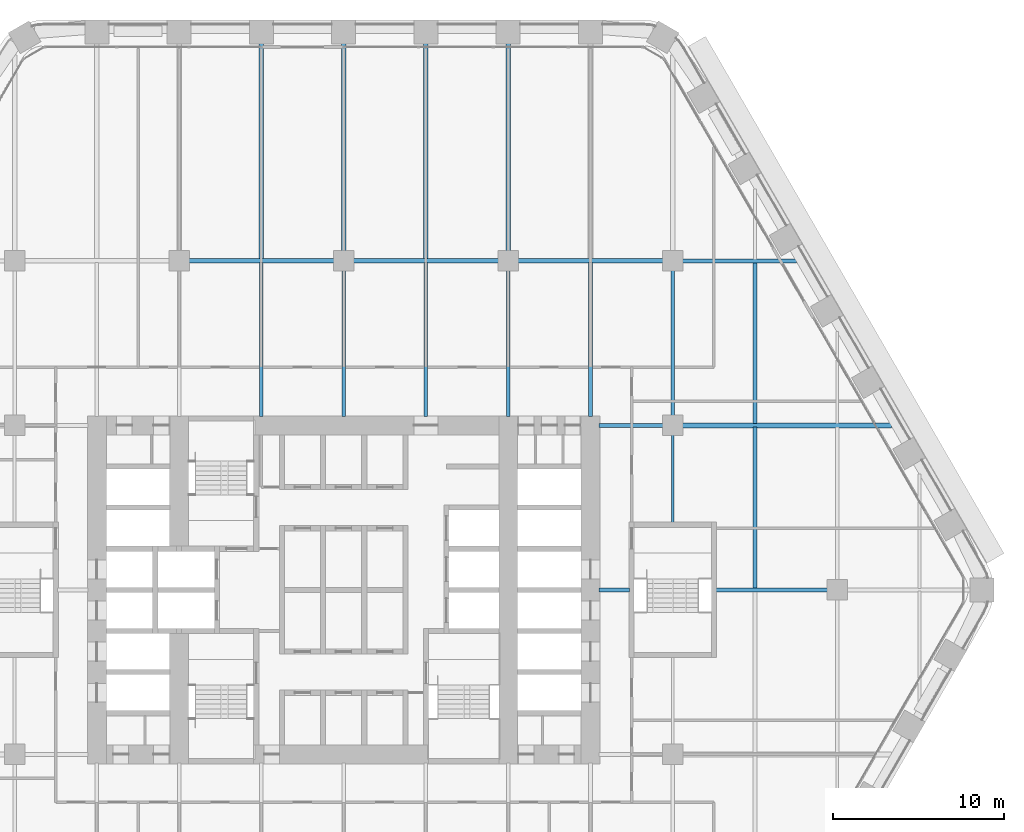
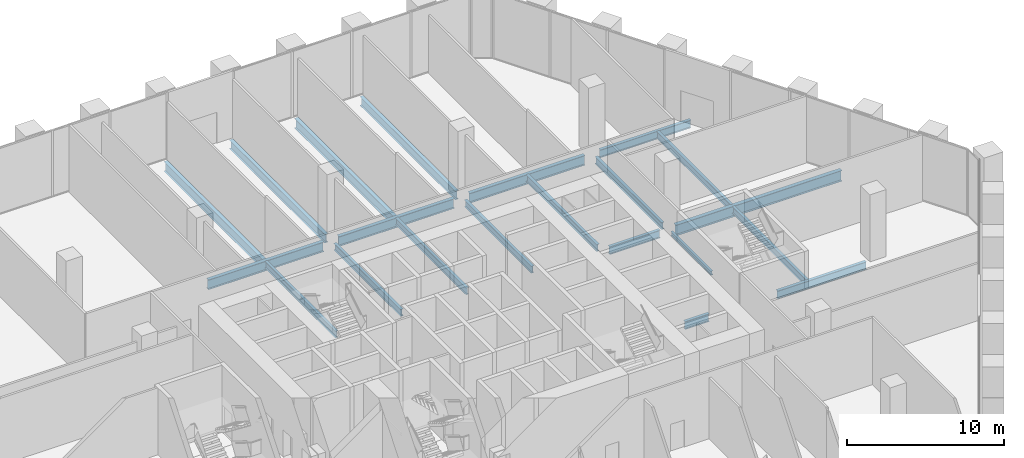
# One storey, part 9 of 27: 21 beams.
"""IFC4 building model written with IfcOpenShell, lengths in metres."""

from ifc_helpers import new_model, si_unit, direction, frame, origin, origin_2d, place, context, subcontext, project, spatial, i_section, extrude, material, material_profile, profile_set, type_object, element, save


model = new_model("IFC4")

# Units and contexts
model_context = context("Model", 3, precision=1e-05, world=origin(), true_north=direction((0.0, 1.0)))
body_context = subcontext(model_context, "Body", "Model", "MODEL_VIEW")
ifc_project = project(units=[si_unit("LENGTHUNIT", "METRE"), si_unit("AREAUNIT", "SQUARE_METRE"), si_unit("VOLUMEUNIT", "CUBIC_METRE"), si_unit("PLANEANGLEUNIT", "RADIAN"), si_unit("MASSUNIT", "GRAM", prefix="KILO")], contexts=[model_context])

# Site, building, storey
site_placement = place(None, origin())
site = spatial("IfcSite", under=ifc_project, at=site_placement, CompositionType="ELEMENT")
building_placement = place(site_placement, origin())
building = spatial("IfcBuilding", under=site, at=building_placement, Name="Kolab Exchange Tower", CompositionType="ELEMENT")
storey_placement = place(building_placement, frame((0.0, 0.0, 66.39990234375)))
storey = spatial("IfcBuildingStorey", under=building, at=storey_placement, Name="L12", CompositionType="ELEMENT", Elevation=66.39990234375)

# Beams
ifc_material = material(Name="Steel S355", Category="steel")
ifc_material_profile_1 = material_profile(ifc_material, i_section(OverallWidth=0.1650390625, OverallDepth=0.31005859375, WebThickness=0.005859375, FlangeThickness=0.009765625, at=origin_2d()), Name="W310X39")
ifc_profile_set_1 = profile_set([ifc_material_profile_1], Name="Steel S355")
beam_type_1 = type_object("IfcBeamType", Name="FLOOR BEAM W310X39", PredefinedType="BEAM", material=ifc_profile_set_1)
beam_1_placement = place(storey_placement, frame((19.199951171875, 3.909912109375, -0.454833984375), z_axis=(0.0, 1.0, 0.0), x_axis=(-1.0, 0.0, 0.0)))
element("IfcBeam", 1, at=beam_1_placement, inside=storey, type_object=beam_type_1, Name="beam/L12/fr/049", PredefinedType="BEAM", context=body_context, shape_type="SweptSolid", body=[
    extrude(i_section(OverallWidth=0.1650390625, OverallDepth=0.31005859375, WebThickness=0.005859375, FlangeThickness=0.009765625, at=origin_2d()), origin(), (0.0, 0.0, 1.0), 5.130126953125),
])
ifc_material_profile_2 = material_profile(ifc_material, i_section(OverallWidth=0.208984375, OverallDepth=0.532958984375, WebThickness=0.01025390625, FlangeThickness=0.015625, at=origin_2d()), Name="W530X92")
ifc_profile_set_2 = profile_set([ifc_material_profile_2], Name="Steel S355")
beam_type_2 = type_object("IfcBeamType", Name="FLOOR BEAM W530X92", PredefinedType="BEAM", material=ifc_profile_set_2)
beam_2_placement = place(storey_placement, frame((-4.800048828125, 10.110107421875, -0.56640625), z_axis=(0.0, 1.0, 0.0), x_axis=(-1.0, 0.0, 0.0)))
element("IfcBeam", 2, at=beam_2_placement, inside=storey, type_object=beam_type_2, Name="beam/L12/fr/028", PredefinedType="BEAM", context=body_context, shape_type="SweptSolid", body=[
    extrude(i_section(OverallWidth=0.208984375, OverallDepth=0.532958984375, WebThickness=0.01025390625, FlangeThickness=0.015625, at=origin_2d()), origin(), (0.0, 0.0, 1.0), 8.996337890625),
])
beam_3_placement = place(storey_placement, frame((0.0, 10.110107421875, -0.56640625), z_axis=(0.0, 1.0, 0.0), x_axis=(-1.0, 0.0, 0.0)))
element("IfcBeam", 3, at=beam_3_placement, inside=storey, type_object=beam_type_2, Name="beam/L12/fr/032", PredefinedType="BEAM", context=body_context, shape_type="SweptSolid", body=[
    extrude(i_section(OverallWidth=0.208984375, OverallDepth=0.532958984375, WebThickness=0.01025390625, FlangeThickness=0.015625, at=origin_2d()), origin(), (0.0, 0.0, 1.0), 8.52978515625),
])
beam_4_placement = place(storey_placement, frame((4.800048828125, 10.110107421875, -0.56640625), z_axis=(0.0, 1.0, 0.0), x_axis=(-1.0, 0.0, 0.0)))
element("IfcBeam", 4, at=beam_4_placement, inside=storey, type_object=beam_type_2, Name="beam/L12/fr/036", PredefinedType="BEAM", context=body_context, shape_type="SweptSolid", body=[
    extrude(i_section(OverallWidth=0.208984375, OverallDepth=0.532958984375, WebThickness=0.01025390625, FlangeThickness=0.015625, at=origin_2d()), origin(), (0.0, 0.0, 1.0), 8.996337890625),
])
beam_5_placement = place(storey_placement, frame((9.60009765625, 10.110107421875, -0.56640625), z_axis=(0.0, 1.0, 0.0), x_axis=(-1.0, 0.0, 0.0)))
element("IfcBeam", 5, at=beam_5_placement, inside=storey, type_object=beam_type_2, Name="beam/L12/fr/040", PredefinedType="BEAM", context=body_context, shape_type="SweptSolid", body=[
    extrude(i_section(OverallWidth=0.208984375, OverallDepth=0.532958984375, WebThickness=0.01025390625, FlangeThickness=0.015625, at=origin_2d()), origin(), (0.0, 0.0, 1.0), 8.52978515625),
])
beam_6_placement = place(storey_placement, frame((14.39990234375, 10.110107421875, -0.56640625), z_axis=(0.0, 1.0, 0.0), x_axis=(-1.0, 0.0, 0.0)))
element("IfcBeam", 6, at=beam_6_placement, inside=storey, type_object=beam_type_2, Name="beam/L12/fr/044", PredefinedType="BEAM", context=body_context, shape_type="SweptSolid", body=[
    extrude(i_section(OverallWidth=0.208984375, OverallDepth=0.532958984375, WebThickness=0.01025390625, FlangeThickness=0.015625, at=origin_2d()), origin(), (0.0, 0.0, 1.0), 8.996337890625),
])
beam_7_placement = place(storey_placement, frame((19.199951171875, 10.159912109375, -0.56640625), z_axis=(0.0, 1.0, 0.0), x_axis=(-1.0, 0.0, 0.0)))
element("IfcBeam", 7, at=beam_7_placement, inside=storey, type_object=beam_type_2, Name="beam/L12/fr/050", PredefinedType="BEAM", context=body_context, shape_type="SweptSolid", body=[
    extrude(i_section(OverallWidth=0.208984375, OverallDepth=0.532958984375, WebThickness=0.01025390625, FlangeThickness=0.015625, at=origin_2d()), origin(), (0.0, 0.0, 1.0), 8.47998046875),
])
for number, where, z_axis, x_axis, name in (
    (8, (24.0, 0.073974609375, -0.56640625), (0.0, 1.0, 0.0), (-1.0, 0.0, 0.0), "beam/L12/fr/055"),
    (9, (24.0, 9.7060546875, -0.56640625), (0.0, 1.0, 0.0), (-1.0, 0.0, 0.0), "beam/L12/fr/056"),
):
    element("IfcBeam", number, at=place(storey_placement, frame(where, z_axis=z_axis, x_axis=x_axis)), inside=storey, type_object=beam_type_2, Name=name, PredefinedType="BEAM", context=body_context, shape_type="SweptSolid", body=[
        extrude(i_section(OverallWidth=0.208984375, OverallDepth=0.532958984375, WebThickness=0.01025390625, FlangeThickness=0.015625, at=origin_2d()), origin(), (0.0, 0.0, 1.0), 9.419921875),
    ])
ifc_material_profile_3 = material_profile(ifc_material, i_section(OverallWidth=0.25390625, OverallDepth=0.68408203125, WebThickness=0.012451171875, FlangeThickness=0.018798828125, at=origin_2d()), Name="W690X140")
ifc_profile_set_3 = profile_set([ifc_material_profile_3], Name="Steel S355")
beam_type_3 = type_object("IfcBeamType", Name="FLOOR BEAM W690X140", PredefinedType="BEAM", material=ifc_profile_set_3)
for number, where, z_axis, x_axis, name in (
    (10, (0.0, 19.760009765625, -0.641845703125), (0.0, 1.0, 0.0), (-1.0, 0.0, 0.0), "beam/L12/fr/033"),
    (11, (9.60009765625, 19.760009765625, -0.641845703125), (0.0, 1.0, 0.0), (-1.0, 0.0, 0.0), "beam/L12/fr/041"),
):
    element("IfcBeam", number, at=place(storey_placement, frame(where, z_axis=z_axis, x_axis=x_axis)), inside=storey, type_object=beam_type_3, Name=name, PredefinedType="BEAM", context=body_context, shape_type="SweptSolid", body=[
        extrude(i_section(OverallWidth=0.25390625, OverallDepth=0.68408203125, WebThickness=0.012451171875, FlangeThickness=0.018798828125, at=origin_2d()), origin(), (0.0, 0.0, 1.0), 12.135498046875),
    ])
ifc_material_profile_4 = material_profile(ifc_material, i_section(OverallWidth=0.26708984375, OverallDepth=0.761962890625, WebThickness=0.014404296875, FlangeThickness=0.021484375, at=origin_2d()), Name="W760X173")
ifc_profile_set_4 = profile_set([ifc_material_profile_4], Name="Steel S355")
beam_type_4 = type_object("IfcBeamType", Name="FLOOR BEAM W760X173", PredefinedType="BEAM", material=ifc_profile_set_4)
for number, where, z_axis, x_axis, name in (
    (12, (-4.800048828125, 19.29345703125, -0.680908203125), (0.0, 1.0, 0.0), (-1.0, 0.0, 0.0), "beam/L12/fr/029"),
    (13, (4.800048828125, 19.29345703125, -0.680908203125), (0.0, 1.0, 0.0), (-1.0, 0.0, 0.0), "beam/L12/fr/037"),
):
    element("IfcBeam", number, at=place(storey_placement, frame(where, z_axis=z_axis, x_axis=x_axis)), inside=storey, type_object=beam_type_4, Name=name, PredefinedType="BEAM", context=body_context, shape_type="SweptSolid", body=[
        extrude(i_section(OverallWidth=0.26708984375, OverallDepth=0.761962890625, WebThickness=0.014404296875, FlangeThickness=0.021484375, at=origin_2d()), origin(), (0.0, 0.0, 1.0), 12.60205078125),
    ])
ifc_material_profile_5 = material_profile(ifc_material, i_section(OverallWidth=0.22802734375, OverallDepth=0.60791015625, WebThickness=0.01123046875, FlangeThickness=0.017333984375, at=origin_2d()), Name="W610X113")
ifc_profile_set_5 = profile_set([ifc_material_profile_5], Name="Steel S355")
beam_type_5 = type_object("IfcBeamType", Name="FLOOR GIRDER W610X113", PredefinedType="BEAM", material=ifc_profile_set_5)
beam_8_placement = place(storey_placement, frame((14.909912109375, 0.0, -0.60400390625), z_axis=(1.0, 0.0, 0.0), x_axis=(0.0, 1.0, 0.0)))
element("IfcBeam", 14, at=beam_8_placement, inside=storey, type_object=beam_type_5, Name="beam/L12/gd/018", PredefinedType="BEAM", context=body_context, shape_type="SweptSolid", body=[
    extrude(i_section(OverallWidth=0.22802734375, OverallDepth=0.60791015625, WebThickness=0.01123046875, FlangeThickness=0.017333984375, at=origin_2d()), origin(), (0.0, 0.0, 1.0), 1.780029296875),
])
beam_9_placement = place(storey_placement, frame((14.909912109375, 9.60009765625, -0.60400390625), z_axis=(1.0, 0.0, 0.0), x_axis=(0.0, 1.0, 0.0)))
element("IfcBeam", 15, at=beam_9_placement, inside=storey, type_object=beam_type_5, Name="beam/L12/gd/019", PredefinedType="BEAM", context=body_context, shape_type="SweptSolid", body=[
    extrude(i_section(OverallWidth=0.22802734375, OverallDepth=0.60791015625, WebThickness=0.01123046875, FlangeThickness=0.017333984375, at=origin_2d()), origin(), (0.0, 0.0, 1.0), 3.72998046875),
])
beam_10_placement = place(storey_placement, frame((19.760009765625, 19.199951171875, -0.60400390625), z_axis=(1.0, 0.0, 0.0), x_axis=(0.0, 1.0, 0.0)))
element("IfcBeam", 16, at=beam_10_placement, inside=storey, type_object=beam_type_5, Name="beam/L12/gd/023", PredefinedType="BEAM", context=body_context, shape_type="SweptSolid", body=[
    extrude(i_section(OverallWidth=0.22802734375, OverallDepth=0.60791015625, WebThickness=0.01123046875, FlangeThickness=0.017333984375, at=origin_2d()), origin(), (0.0, 0.0, 1.0), 6.671142578125),
])
beam_11_placement = place(storey_placement, frame((21.7099609375, 0.0, -0.60400390625), z_axis=(1.0, 0.0, 0.0), x_axis=(0.0, 1.0, 0.0)))
element("IfcBeam", 17, at=beam_11_placement, inside=storey, type_object=beam_type_5, Name="beam/L12/gd/024", PredefinedType="BEAM", context=body_context, shape_type="SweptSolid", body=[
    extrude(i_section(OverallWidth=0.22802734375, OverallDepth=0.60791015625, WebThickness=0.01123046875, FlangeThickness=0.017333984375, at=origin_2d()), origin(), (0.0, 0.0, 1.0), 6.530029296875),
])
ifc_material_profile_6 = material_profile(ifc_material, i_section(OverallWidth=0.26708984375, OverallDepth=0.761962890625, WebThickness=0.014404296875, FlangeThickness=0.021484375, at=origin_2d()), Name="W760X173")
ifc_profile_set_6 = profile_set([ifc_material_profile_6], Name="Steel S355")
beam_type_6 = type_object("IfcBeamType", Name="FLOOR GIRDER W760X173", PredefinedType="BEAM", material=ifc_profile_set_6)
for number, where, z_axis, x_axis, name in (
    (18, (-9.0400390625, 19.199951171875, -0.680908203125), (1.0, 0.0, 0.0), (0.0, 1.0, 0.0), "beam/L12/gd/012"),
    (19, (0.56005859375, 19.199951171875, -0.680908203125), (1.0, 0.0, 0.0), (0.0, 1.0, 0.0), "beam/L12/gd/014"),
    (20, (10.159912109375, 19.199951171875, -0.680908203125), (1.0, 0.0, 0.0), (0.0, 1.0, 0.0), "beam/L12/gd/016"),
):
    element("IfcBeam", number, at=place(storey_placement, frame(where, z_axis=z_axis, x_axis=x_axis)), inside=storey, type_object=beam_type_6, Name=name, PredefinedType="BEAM", context=body_context, shape_type="SweptSolid", body=[
        extrude(i_section(OverallWidth=0.26708984375, OverallDepth=0.761962890625, WebThickness=0.014404296875, FlangeThickness=0.021484375, at=origin_2d()), origin(), (0.0, 0.0, 1.0), 8.47998046875),
    ])
ifc_material_profile_7 = material_profile(ifc_material, i_section(OverallWidth=0.2919921875, OverallDepth=0.840087890625, WebThickness=0.0146484375, FlangeThickness=0.021728515625, at=origin_2d()), Name="W840X193")
ifc_profile_set_7 = profile_set([ifc_material_profile_7], Name="Steel S355")
beam_type_7 = type_object("IfcBeamType", Name="FLOOR GIRDER W840X193", PredefinedType="BEAM", material=ifc_profile_set_7)
beam_12_placement = place(storey_placement, frame((19.760009765625, 9.60009765625, -0.719970703125), z_axis=(1.0, 0.0, 0.0), x_axis=(0.0, 1.0, 0.0)))
element("IfcBeam", 21, at=beam_12_placement, inside=storey, type_object=beam_type_7, Name="beam/L12/gd/022", PredefinedType="BEAM", context=body_context, shape_type="SweptSolid", body=[
    extrude(i_section(OverallWidth=0.2919921875, OverallDepth=0.840087890625, WebThickness=0.0146484375, FlangeThickness=0.021728515625, at=origin_2d()), origin(), (0.0, 0.0, 1.0), 12.213623046875),
])

save(model, "model.ifc")
